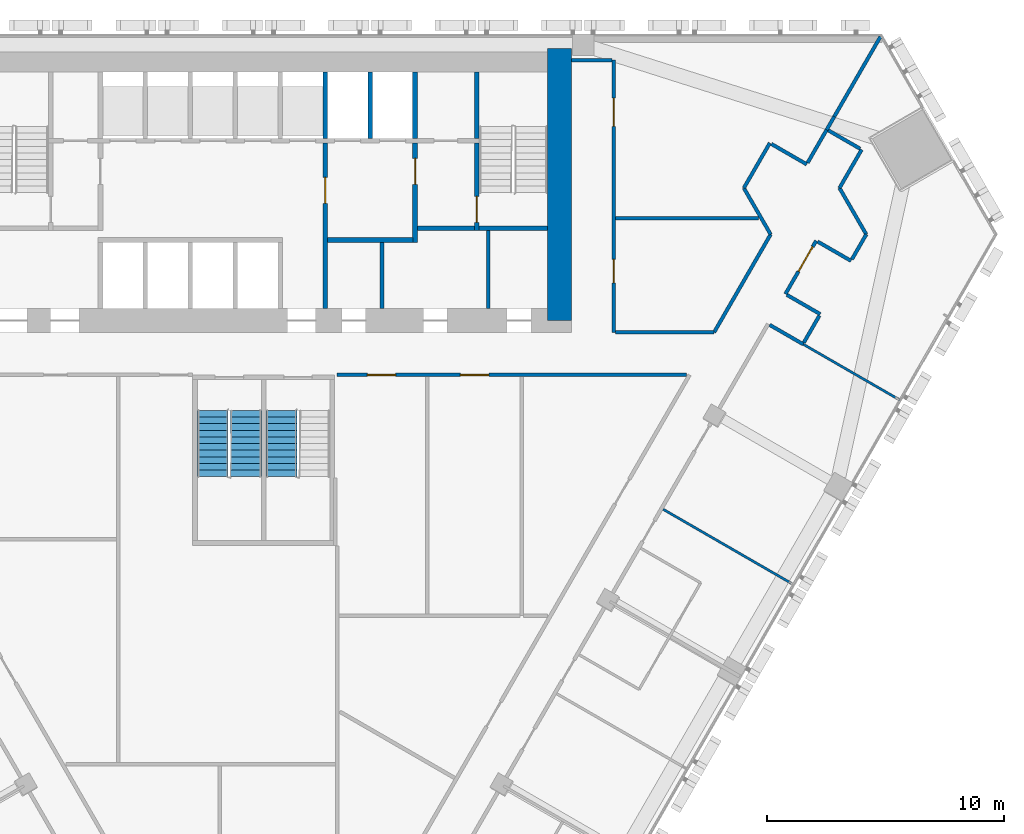
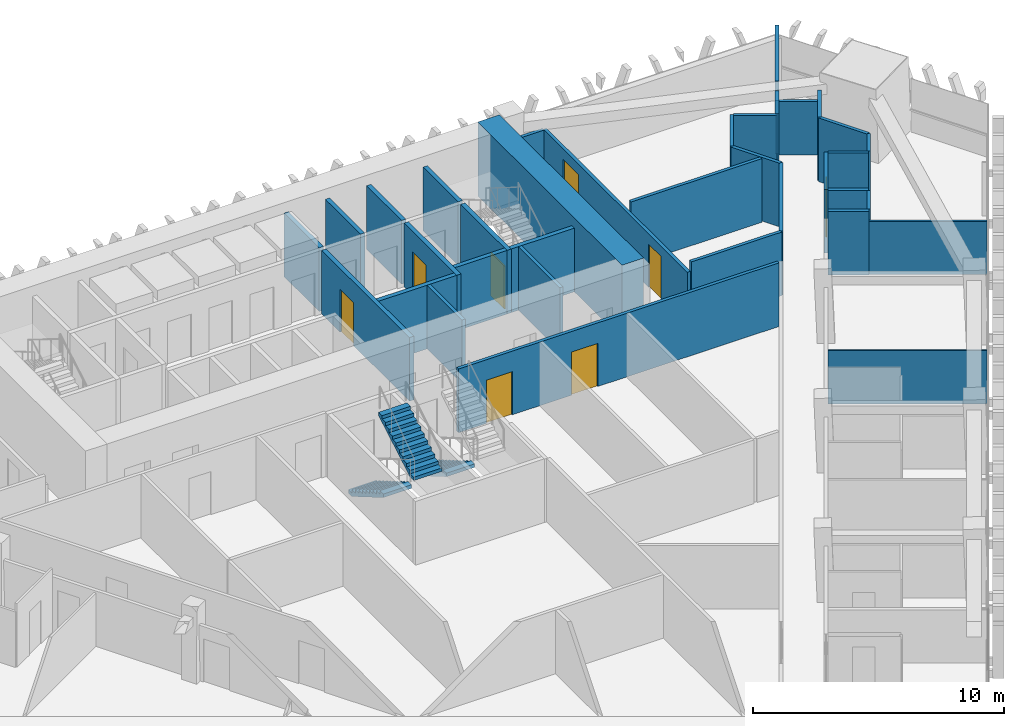
# One storey, part 14 of 18: 36 walls, 8 doors, 3 stair flights, 8 openings, 2 elements without a shape of their own.
"""IFC4 building model written with IfcOpenShell, lengths in metres."""

import ifcopenshell
import ifcopenshell.guid

model = None  # the IFC model being written
_history = None  # IfcOwnerHistory: only IFC2X3 demands one
_inside = {}  # id of a spatial element -> (the spatial element, [elements in it])
_under = {}  # id of a project, library or spatial element -> (it, [spatial elements below it])
_declared = {}  # id of a project -> (the project, [libraries it declares])
_typed = {}  # id of a type object -> (the type object, [elements of that type])
_made_of = {}  # id of a material, layer set ... -> (it, [elements and type objects made of it])


def new_model(schema):
    """Start an empty IFC model of exactly this schema.

    Asked for "IFC4X3", IfcOpenShell would pick the latest addendum, in which some entities
    have other attributes; the version numbers below select the first issue.
    IFC2X3 requires an IfcOwnerHistory on every rooted entity: one is made here for all.
    """
    global model, _history
    if schema == "IFC4X3":
        model = ifcopenshell.file(schema_version=(4, 3, 0, 0))
    else:
        model = ifcopenshell.file(schema=schema)
    _inside.clear()
    _under.clear()
    _declared.clear()
    _typed.clear()
    _made_of.clear()
    _history = None
    if model.schema == "IFC2X3":
        org = make("IfcOrganization", Name="unknown")
        user = make(
            "IfcPersonAndOrganization",
            ThePerson=make("IfcPerson", FamilyName="unknown"),
            TheOrganization=org,
        )
        app = make(
            "IfcApplication",
            ApplicationDeveloper=org,
            Version="unknown",
            ApplicationFullName="unknown",
            ApplicationIdentifier="unknown",
        )
        _history = make(
            "IfcOwnerHistory",
            OwningUser=user,
            OwningApplication=app,
            ChangeAction="ADDED",
            CreationDate=0,
        )
    return model


def make(cls, **values):
    """One entity of the class cls with the attributes given. An attribute that is None is left unset."""
    return model.create_entity(
        cls, **{name: value for name, value in values.items() if value is not None}
    )


def rooted(cls, **values):
    """An entity with a GlobalId (a new one), such as an element, a storey or a relation."""
    return make(cls, GlobalId=ifcopenshell.guid.new(), OwnerHistory=_history, **values)


def si_unit(unit_type, name, prefix=None):
    """IfcSIUnit, for example si_unit("LENGTHUNIT", "METRE", prefix="MILLI")."""
    return make("IfcSIUnit", UnitType=unit_type, Prefix=prefix, Name=name)


def assignment(units):
    """IfcUnitAssignment: the units of a project."""
    return None if units is None else make("IfcUnitAssignment", Units=units)


def point(xyz):
    """IfcCartesianPoint."""
    return None if xyz is None else make("IfcCartesianPoint", Coordinates=xyz)


def direction(xyz):
    """IfcDirection."""
    return None if xyz is None else make("IfcDirection", DirectionRatios=xyz)


def frame(location, z_axis=None, x_axis=None):
    """IfcAxis2Placement3D, a coordinate frame: its origin and axes. An axis left out is left unset."""
    return make(
        "IfcAxis2Placement3D",
        Location=point(location),
        Axis=direction(z_axis),
        RefDirection=direction(x_axis),
    )


def frame_2d(location, x_axis=None):
    """IfcAxis2Placement2D, a coordinate frame in the plane: its origin and x axis."""
    return make(
        "IfcAxis2Placement2D", Location=point(location), RefDirection=direction(x_axis)
    )


def origin():
    """The frame at (0, 0, 0) with its axes left unset."""
    return frame((0.0, 0.0, 0.0))


def place(relative_to, where):
    """IfcLocalPlacement: puts the frame where relative to a parent placement (None: the world)."""
    return make(
        "IfcLocalPlacement", PlacementRelTo=relative_to, RelativePlacement=where
    )


def context(
    kind, dimensions, precision=None, world=None, true_north=None, identifier=None
):
    """IfcGeometricRepresentationContext, for example the 3D "Model" context."""
    return make(
        "IfcGeometricRepresentationContext",
        ContextIdentifier=identifier,
        ContextType=kind,
        CoordinateSpaceDimension=dimensions,
        Precision=precision,
        WorldCoordinateSystem=world,
        TrueNorth=true_north,
    )


def subcontext(parent, identifier, kind, view, scale=None):
    """IfcGeometricRepresentationSubContext, for example "Body" below "Model"."""
    return make(
        "IfcGeometricRepresentationSubContext",
        ContextIdentifier=identifier,
        ContextType=kind,
        ParentContext=parent,
        TargetScale=scale,
        TargetView=view,
    )


def project(units=None, contexts=None):
    """IfcProject with its units and contexts."""
    return rooted(
        "IfcProject",
        Name="project",
        RepresentationContexts=contexts,
        UnitsInContext=assignment(units),
    )


def spatial(cls, under=None, at=None, **own):
    """A site, building, storey or space (cls), placed at a placement, below another one or the project."""
    s = rooted(cls, ObjectPlacement=at, **own)
    if under is not None:
        _under.setdefault(under.id(), (under, []))[1].append(s)
    return s


def polyline(points):
    """IfcPolyline through the points."""
    return make("IfcPolyline", Points=[point(p) for p in points])


def profile(cls, at=None, kind="AREA", **sizes):
    """A parametric profile (cls). Its sizes go by their IFC names, for example OverallWidth=200.0."""
    return make(cls, ProfileType=kind, Position=at, **sizes)


def rectangle(**sizes):
    """IfcRectangleProfileDef."""
    return profile("IfcRectangleProfileDef", **sizes)


def outline(outer, holes=None, kind="AREA"):
    """IfcArbitraryClosedProfileDef: a profile drawn as a closed curve; with holes, ...WithVoids."""
    if holes is None:
        return make("IfcArbitraryClosedProfileDef", ProfileType=kind, OuterCurve=outer)
    return make(
        "IfcArbitraryProfileDefWithVoids",
        ProfileType=kind,
        OuterCurve=outer,
        InnerCurves=holes,
    )


def extrude(swept, where, along, depth):
    """IfcExtrudedAreaSolid: the profile swept, set in the frame where, extruded along a direction by depth."""
    return make(
        "IfcExtrudedAreaSolid",
        SweptArea=swept,
        Position=where,
        ExtrudedDirection=direction(along),
        Depth=depth,
    )


def shape(context_of_items, identifier, shape_type, items):
    """IfcShapeRepresentation: the items that make up one representation, for example the "Body"."""
    return make(
        "IfcShapeRepresentation",
        ContextOfItems=context_of_items,
        RepresentationIdentifier=identifier,
        RepresentationType=shape_type,
        Items=items,
    )


def material(Name=None, Category=None):
    """IfcMaterial."""
    return make("IfcMaterial", Name=Name, Category=Category)


def layer(
    of_material, thickness, ventilated=None, Name=None, Category=None, Priority=None
):
    """IfcMaterialLayer: one layer of a wall or slab, of a material (None: an air gap)."""
    return make(
        "IfcMaterialLayer",
        Material=of_material,
        LayerThickness=thickness,
        IsVentilated=ventilated,
        Name=Name,
        Category=Category,
        Priority=Priority,
    )


def layer_set(layers, Name=None):
    """IfcMaterialLayerSet."""
    return make("IfcMaterialLayerSet", MaterialLayers=layers, LayerSetName=Name)


def made_of(thing, what):
    """Note that an element or type object is made of a material, layer set ...; save() writes the relation."""
    if what is not None:
        _made_of.setdefault(what.id(), (what, []))[1].append(thing)
    return thing


def type_object(cls, material=None, **own):
    """A type object (cls), such as IfcWallType, which elements share."""
    return made_of(rooted(cls, **own), material)


def element(
    cls,
    number,
    at=None,
    inside=None,
    cuts=None,
    type_object=None,
    material=None,
    context=None,
    identifier="Body",
    shape_type=None,
    held_by="IfcProductDefinitionShape",
    body=None,
    shapes=None,
    **own,
):
    """One element of the class cls, such as IfcWall. Its Tag is "e" and its number.

    at: its placement. inside: the storey or other place that contains it. cuts: it is an
    opening in that element (IfcRelVoidsElement). A single representation is given by context,
    identifier, shape_type and body (its items); several are given by shapes. held_by: the class
    of the entity that holds the representations. save() writes the other relations.
    """
    e = rooted(cls, Tag="e%d" % number, ObjectPlacement=at, **own)
    if body is not None:
        shapes = [shape(context, identifier, shape_type, body)]
    if shapes is not None:
        e.Representation = make(held_by, Representations=shapes)
    if inside is not None:
        _inside.setdefault(inside.id(), (inside, []))[1].append(e)
    if cuts is not None:
        rooted(
            "IfcRelVoidsElement", RelatingBuildingElement=cuts, RelatedOpeningElement=e
        )
    if type_object is not None:
        _typed.setdefault(type_object.id(), (type_object, []))[1].append(e)
    return made_of(e, material)


def fill(opening, filler):
    """IfcRelFillsElement: the door or window that sits in an opening."""
    return rooted(
        "IfcRelFillsElement",
        RelatingOpeningElement=opening,
        RelatedBuildingElement=filler,
    )


def aggregate(whole, parts):
    """IfcRelAggregates: a whole, such as a stair, and the parts it consists of."""
    return rooted("IfcRelAggregates", RelatingObject=whole, RelatedObjects=parts)


def save(model, path):
    """Write the relations noted so far, then the file.

    IfcRelAggregates (storeys below a building ...), IfcRelContainedInSpatialStructure (elements
    in a storey), IfcRelDefinesByType, IfcRelAssociatesMaterial and IfcRelDeclares: one each for
    every whole, place, type object, material and project.
    """
    for whole, parts in _under.values():
        aggregate(whole, parts)
    for where, things in _inside.values():
        rooted(
            "IfcRelContainedInSpatialStructure",
            RelatedElements=things,
            RelatingStructure=where,
        )
    for kind, things in _typed.values():
        rooted("IfcRelDefinesByType", RelatedObjects=things, RelatingType=kind)
    for what, things in _made_of.values():
        rooted("IfcRelAssociatesMaterial", RelatedObjects=things, RelatingMaterial=what)
    for by, libraries in _declared.values():
        rooted("IfcRelDeclares", RelatingContext=by, RelatedDefinitions=libraries)
    model.write(path)


model = new_model("IFC4")

# Units and contexts
model_context = context("Model", 3, precision=1e-05, world=origin(), true_north=direction((0.0, 1.0)))
body_context = subcontext(model_context, "Body", "Model", "MODEL_VIEW")
ifc_project = project(units=[si_unit("LENGTHUNIT", "METRE"), si_unit("AREAUNIT", "SQUARE_METRE"), si_unit("VOLUMEUNIT", "CUBIC_METRE"), si_unit("PLANEANGLEUNIT", "RADIAN"), si_unit("MASSUNIT", "GRAM", prefix="KILO")], contexts=[model_context])

# Site, building, storey
site_placement = place(None, origin())
site = spatial("IfcSite", under=ifc_project, at=site_placement, CompositionType="ELEMENT")
building_placement = place(site_placement, origin())
building = spatial("IfcBuilding", under=site, at=building_placement, Name="Altiplano Prism Tower", CompositionType="ELEMENT")
storey_placement = place(building_placement, frame((0.0, 0.0, 37.800048828125)))
storey = spatial("IfcBuildingStorey", under=building, at=storey_placement, Name="L08", CompositionType="ELEMENT", Elevation=37.800048828125)

# Walls
ifc_material_1 = material(Name="Concrete C70/85", Category="concrete")
ifc_layer_1 = layer(ifc_material_1, 1.0)
ifc_layer_set_1 = layer_set([ifc_layer_1], Name="Concrete C70/85")
wall_type_1 = type_object("IfcWallType", Name="Core wall 1000", PredefinedType="SHEAR", material=ifc_layer_set_1)
wall_1_placement = place(storey_placement, frame((97.5, 92.89990234375, 0.0), z_axis=(0.0, 0.0, 1.0), x_axis=(0.0, 1.0, 0.0)))
element("IfcWall", 1, at=wall_1_placement, inside=storey, type_object=wall_type_1, Name="Core wall E L08", PredefinedType="SHEAR", context=body_context, shape_type="SweptSolid", body=[
    extrude(rectangle(XDim=11.5, YDim=1.0, at=frame_2d((5.75, 0.0))), origin(), (0.0, 0.0, 1.0), 3.599853515625),
])
ifc_material_2 = material(Name="Plasterboard on steel stud", Category="steel")
ifc_layer_2 = layer(ifc_material_2, 0.10009765625)
ifc_layer_set_2 = layer_set([ifc_layer_2], Name="Plasterboard on steel stud")
wall_type_2 = type_object("IfcWallType", Name="Partition 100 wet", PredefinedType="PARTITIONING", material=ifc_layer_set_2)
wall_2_placement = place(storey_placement, frame((107.37744140625, 81.749755859375, 0.0), z_axis=(0.0, 0.0, 1.0), x_axis=(-0.866025401434, 0.500000004071, 0.0)))
element("IfcWall", 2, at=wall_2_placement, inside=storey, type_object=wall_type_2, Name="Partition P03 L08 098", PredefinedType="PARTITIONING", context=body_context, shape_type="SweptSolid", body=[
    extrude(rectangle(XDim=6.34521484375, YDim=0.10009765625, at=frame_2d((3.172607421875, 0.0))), origin(), (0.0, 0.0, 1.0), 2.599853515625),
])
wall_3_placement = place(storey_placement, frame((111.87744140625, 89.5439453125, 0.0), z_axis=(0.0, 0.0, 1.0), x_axis=(-0.866028828302, 0.499994068514, 0.0)))
element("IfcWall", 3, at=wall_3_placement, inside=storey, type_object=wall_type_2, Name="Partition P03 L08 099", PredefinedType="PARTITIONING", context=body_context, shape_type="SweptSolid", body=[
    extrude(rectangle(XDim=4.72021484375, YDim=0.10009765625, at=frame_2d((2.360107421875, 0.0))), origin(), (0.0, 0.0, 1.0), 2.599853515625),
])
ifc_layer_3 = layer(ifc_material_2, 0.14990234375)
ifc_layer_set_3 = layer_set([ifc_layer_3], Name="Plasterboard on steel stud")
wall_type_3 = type_object("IfcWallType", Name="Partition 150 corridor", PredefinedType="PARTITIONING", material=ifc_layer_set_3)
wall_4_placement = place(storey_placement, frame((106.38232421875, 92.716552734375, 0.0), z_axis=(0.0, 0.0, 1.0), x_axis=(0.866015045157, -0.50001794124, 0.0)))
element("IfcWall", 4, at=wall_4_placement, inside=storey, type_object=wall_type_3, Name="Partition P06 L08 022", PredefinedType="PARTITIONING", context=body_context, shape_type="SweptSolid", body=[
    extrude(rectangle(XDim=1.64501953125, YDim=0.14990234375, at=frame_2d((0.822509765625, 0.0))), origin(), (0.0, 0.0, 1.0), 3.099853515625),
])
wall_5_placement = place(storey_placement, frame((107.8271484375, 91.968994140625, 0.0), z_axis=(0.0, 0.0, 1.0), x_axis=(0.500001653409, 0.866024449186, 0.0)))
element("IfcWall", 5, at=wall_5_placement, inside=storey, type_object=wall_type_3, Name="Partition P06 L08 023", PredefinedType="PARTITIONING", context=body_context, shape_type="SweptSolid", body=[
    extrude(rectangle(XDim=1.31201171875, YDim=0.14990234375, at=frame_2d((0.656005859375, 0.0))), origin(), (0.0, 0.0, 1.0), 3.099853515625),
])
wall_6_placement = place(storey_placement, frame((108.520751953125, 93.170166015625, 0.0), z_axis=(0.0, 0.0, 1.0), x_axis=(-0.866053003207, 0.499952193351, 0.0)))
element("IfcWall", 6, at=wall_6_placement, inside=storey, type_object=wall_type_3, Name="Partition P06 L08 024", PredefinedType="PARTITIONING", context=body_context, shape_type="SweptSolid", body=[
    extrude(rectangle(XDim=1.625244140625, YDim=0.14990234375, at=frame_2d((0.8125, 0.0))), origin(), (0.0, 0.0, 1.0), 3.099853515625),
])

# Wall, opening, door
wall_7_placement = place(storey_placement, frame((107.04833984375, 94.020263671875, 0.0), z_axis=(0.0, 0.0, 1.0), x_axis=(0.500006934395, 0.866021400173, 0.0)))
wall_7 = element("IfcWall", 7, at=wall_7_placement, inside=storey, type_object=wall_type_3, Name="Partition P06 L08 025", PredefinedType="PARTITIONING", context=body_context, shape_type="SweptSolid", body=[
    extrude(rectangle(XDim=2.60009765625, YDim=0.14990234375, at=frame_2d((1.300048828125, 0.0))), origin(), (0.0, 0.0, 1.0), 3.099853515625),
])
opening_1_placement = place(wall_7_placement, frame((1.10693359375, 0.0, 0.0)))
opening_1 = element("IfcOpeningElement", 8, at=opening_1_placement, cuts=wall_7, Name="Opening D0308", PredefinedType="OPENING", context=body_context, shape_type="SweptSolid", body=[
    extrude(rectangle(XDim=1.199951171875, YDim=2.10009765625, at=frame_2d((0.60009765625, 1.050048828125))), frame((0.0, 0.08544921875, 0.0), z_axis=(0.0, -1.0, 0.0), x_axis=(1.0, 0.0, 0.0)), (0.0, 0.0, 1.0), 0.1708984375),
])
ifc_material_3 = material(Name="Timber", Category="wood")
door_type_1 = type_object("IfcDoorType", Name="Shared room door 1200 x 2100", OperationType="NOTDEFINED", PredefinedType="NOTDEFINED", material=ifc_material_3)
door_1_placement = place(opening_1_placement, origin())
door_1 = element("IfcDoor", 9, at=door_1_placement, inside=storey, type_object=door_type_1, Name="Door D0308", OperationType="SINGLE_SWING_RIGHT", OverallHeight=2.10009765625, OverallWidth=1.199951171875, PredefinedType="NOTDEFINED", context=body_context, shape_type="SweptSolid", body=[
    extrude(rectangle(XDim=1.199951171875, YDim=2.10009765625, at=frame_2d((0.60009765625, 1.050048828125))), frame((0.0, 0.02490234375, 0.0), z_axis=(0.0, -1.0, 0.0), x_axis=(1.0, 0.0, 0.0)), (0.0, 0.0, 1.0), 0.050048828125),
])
fill(opening_1, door_1)

# Walls
wall_8_placement = place(storey_placement, frame((108.413330078125, 96.234375, 0.0), z_axis=(0.0, 0.0, 1.0), x_axis=(0.866015446554, -0.500017246033, 0.0)))
element("IfcWall", 10, at=wall_8_placement, inside=storey, type_object=wall_type_3, Name="Partition P06 L08 026", PredefinedType="PARTITIONING", context=body_context, shape_type="SweptSolid", body=[
    extrude(rectangle(XDim=1.625, YDim=0.14990234375, at=frame_2d((0.8125, 0.0))), origin(), (0.0, 0.0, 1.0), 3.099853515625),
])
wall_9_placement = place(storey_placement, frame((109.858154296875, 95.48681640625, 0.0), z_axis=(0.0, 0.0, 1.0), x_axis=(0.499983176524, 0.866035116605, 0.0)))
element("IfcWall", 11, at=wall_9_placement, inside=storey, type_object=wall_type_3, Name="Partition P06 L08 027", PredefinedType="PARTITIONING", context=body_context, shape_type="SweptSolid", body=[
    extrude(rectangle(XDim=1.2158203125, YDim=0.14990234375, at=frame_2d((0.60791015625, 0.0))), origin(), (0.0, 0.0, 1.0), 3.099853515625),
])
wall_10_placement = place(storey_placement, frame((110.466064453125, 96.539794921875, 0.0), z_axis=(0.0, 0.0, 1.0), x_axis=(-0.500036781429, 0.866004166975, 0.0)))
element("IfcWall", 12, at=wall_10_placement, inside=storey, type_object=wall_type_3, Name="Partition P06 L08 028", PredefinedType="PARTITIONING", context=body_context, shape_type="SweptSolid", body=[
    extrude(rectangle(XDim=2.263427734375, YDim=0.14990234375, at=frame_2d((1.1318359375, 0.0))), origin(), (0.0, 0.0, 1.0), 3.099853515625),
])
wall_11_placement = place(storey_placement, frame((109.334228515625, 98.5, 0.0), z_axis=(0.0, 0.0, 1.0), x_axis=(0.499951854219, 0.86605319898, 0.0)))
element("IfcWall", 13, at=wall_11_placement, inside=storey, type_object=wall_type_3, Name="Partition P06 L08 029", PredefinedType="PARTITIONING", context=body_context, shape_type="SweptSolid", body=[
    extrude(rectangle(XDim=1.873291015625, YDim=0.14990234375, at=frame_2d((0.9365234375, 0.0))), origin(), (0.0, 0.0, 1.0), 3.099853515625),
])
wall_12_placement = place(storey_placement, frame((110.205810546875, 100.15966796875, 0.0), z_axis=(0.0, 0.0, 1.0), x_axis=(-0.865975732936, 0.500086022567, 0.0)))
element("IfcWall", 14, at=wall_12_placement, inside=storey, type_object=wall_type_3, Name="Partition P06 L08 030", PredefinedType="PARTITIONING", context=body_context, shape_type="SweptSolid", body=[
    extrude(rectangle(XDim=1.550048828125, YDim=0.14990234375, at=frame_2d((0.77490234375, 0.0))), origin(), (0.0, 0.0, 1.0), 2.599853515625),
])

# Wall, openings, doors
wall_13_placement = place(storey_placement, frame((99.800048828125, 92.39990234375, 0.0), z_axis=(0.0, 0.0, 1.0), x_axis=(0.0, 1.0, 0.0)))
wall_13 = element("IfcWall", 15, at=wall_13_placement, inside=storey, type_object=wall_type_3, Name="Partition P06 L08 031", PredefinedType="PARTITIONING", context=body_context, shape_type="SweptSolid", body=[
    extrude(rectangle(XDim=11.5, YDim=0.14990234375, at=frame_2d((5.75, 0.0))), origin(), (0.0, 0.0, 1.0), 2.599853515625),
])
opening_2_placement = place(wall_13_placement, frame((8.701904296875, 0.0, 0.0)))
opening_2 = element("IfcOpeningElement", 16, at=opening_2_placement, cuts=wall_13, Name="Opening D0310", PredefinedType="OPENING", context=body_context, shape_type="SweptSolid", body=[
    extrude(rectangle(XDim=1.199951171875, YDim=2.10009765625, at=frame_2d((0.60009765625, 1.050048828125))), frame((0.0, 0.08544921875, 0.0), z_axis=(0.0, -1.0, 0.0), x_axis=(1.0, 0.0, 0.0)), (0.0, 0.0, 1.0), 0.1708984375),
])
opening_3_placement = place(wall_13_placement, frame((2.0869140625, 0.0, 0.0)))
opening_3 = element("IfcOpeningElement", 17, at=opening_3_placement, cuts=wall_13, Name="Opening D0321", PredefinedType="OPENING", context=body_context, shape_type="SweptSolid", body=[
    extrude(rectangle(XDim=1.0, YDim=2.10009765625, at=frame_2d((0.5, 1.050048828125))), frame((0.0, 0.08544921875, 0.0), z_axis=(0.0, -1.0, 0.0), x_axis=(1.0, 0.0, 0.0)), (0.0, 0.0, 1.0), 0.1708984375),
])
door_2_placement = place(opening_2_placement, origin())
door_2 = element("IfcDoor", 18, at=door_2_placement, inside=storey, type_object=door_type_1, Name="Door D0310", OperationType="SINGLE_SWING_LEFT", OverallHeight=2.10009765625, OverallWidth=1.199951171875, PredefinedType="NOTDEFINED", context=body_context, shape_type="SweptSolid", body=[
    extrude(rectangle(XDim=1.199951171875, YDim=2.10009765625, at=frame_2d((0.60009765625, 1.050048828125))), frame((0.0, 0.02490234375, 0.0), z_axis=(0.0, -1.0, 0.0), x_axis=(1.0, 0.0, 0.0)), (0.0, 0.0, 1.0), 0.050048828125),
])
fill(opening_2, door_2)
door_type_2 = type_object("IfcDoorType", Name="Store door 1000 x 2100", OperationType="NOTDEFINED", PredefinedType="NOTDEFINED", material=ifc_material_3)
door_3_placement = place(opening_3_placement, origin())
door_3 = element("IfcDoor", 19, at=door_3_placement, inside=storey, type_object=door_type_2, Name="Door D0321", OperationType="SINGLE_SWING_RIGHT", OverallHeight=2.10009765625, OverallWidth=1.0, PredefinedType="NOTDEFINED", context=body_context, shape_type="SweptSolid", body=[
    extrude(rectangle(XDim=1.0, YDim=2.10009765625, at=frame_2d((0.5, 1.050048828125))), frame((0.0, 0.02490234375, 0.0), z_axis=(0.0, -1.0, 0.0), x_axis=(1.0, 0.0, 0.0)), (0.0, 0.0, 1.0), 0.050048828125),
])
fill(opening_3, door_3)

# Walls
wall_14_placement = place(storey_placement, frame((99.72509765625, 103.89990234375, 0.0), z_axis=(0.0, 0.0, 1.0), x_axis=(-1.0, 0.0, 0.0)))
element("IfcWall", 20, at=wall_14_placement, inside=storey, type_object=wall_type_3, Name="Partition P06 L08 032", PredefinedType="PARTITIONING", context=body_context, shape_type="SweptSolid", body=[
    extrude(rectangle(XDim=1.72509765625, YDim=0.14990234375, at=frame_2d((0.862548828125, 0.0))), origin(), (0.0, 0.0, 1.0), 2.599853515625),
])
wall_15_placement = place(storey_placement, frame((108.78857421875, 100.954833984375, 0.0), z_axis=(0.0, 0.0, 1.0), x_axis=(-0.500016533484, -0.866015857963, 0.0)))
element("IfcWall", 21, at=wall_15_placement, inside=storey, type_object=wall_type_3, Name="Partition P06 L08 033", PredefinedType="PARTITIONING", context=body_context, shape_type="SweptSolid", body=[
    extrude(rectangle(XDim=1.60498046875, YDim=0.14990234375, at=frame_2d((0.802490234375, 0.0))), origin(), (0.0, 0.0, 1.0), 3.099853515625),
])
wall_16_placement = place(storey_placement, frame((107.94873046875, 99.5, 0.0), z_axis=(0.0, 0.0, 1.0), x_axis=(-0.866013532718, 0.500020560727, 0.0)))
element("IfcWall", 22, at=wall_16_placement, inside=storey, type_object=wall_type_3, Name="Partition P06 L08 034", PredefinedType="PARTITIONING", context=body_context, shape_type="SweptSolid", body=[
    extrude(rectangle(XDim=1.72509765625, YDim=0.14990234375, at=frame_2d((0.862548828125, 0.0))), origin(), (0.0, 0.0, 1.0), 3.099853515625),
])
wall_17_placement = place(storey_placement, frame((106.3896484375, 100.39990234375, 0.0), z_axis=(0.0, 0.0, 1.0), x_axis=(-0.500005024956, -0.866022502605, 0.0)))
element("IfcWall", 23, at=wall_17_placement, inside=storey, type_object=wall_type_3, Name="Partition P06 L08 035", PredefinedType="PARTITIONING", context=body_context, shape_type="SweptSolid", body=[
    extrude(rectangle(XDim=2.19384765625, YDim=0.14990234375, at=frame_2d((1.096923828125, 0.0))), origin(), (0.0, 0.0, 1.0), 3.099853515625),
])
wall_18_placement = place(storey_placement, frame((105.292724609375, 98.5, 0.0), z_axis=(0.0, 0.0, 1.0), x_axis=(0.500036781429, -0.866004166975, 0.0)))
element("IfcWall", 24, at=wall_18_placement, inside=storey, type_object=wall_type_3, Name="Partition P06 L08 036", PredefinedType="PARTITIONING", context=body_context, shape_type="SweptSolid", body=[
    extrude(rectangle(XDim=2.263427734375, YDim=0.14990234375, at=frame_2d((1.1318359375, 0.0))), origin(), (0.0, 0.0, 1.0), 3.099853515625),
])

# Wall, openings, doors
wall_19_placement = place(storey_placement, frame((88.1064453125, 90.60009765625, 0.0), z_axis=(0.0, 0.0, 1.0), x_axis=(1.0, 0.0, 0.0)))
wall_19 = element("IfcWall", 25, at=wall_19_placement, inside=storey, type_object=wall_type_3, Name="Partition P06 L08 037", PredefinedType="PARTITIONING", context=body_context, shape_type="SweptSolid", body=[
    extrude(rectangle(XDim=14.759033203125, YDim=0.14990234375, at=frame_2d((7.37939453125, 0.0))), origin(), (0.0, 0.0, 1.0), 3.099853515625),
])
opening_4_placement = place(wall_19_placement, frame((5.208984375, 0.0, 0.0)))
opening_4 = element("IfcOpeningElement", 26, at=opening_4_placement, cuts=wall_19, Name="Opening D0315", PredefinedType="OPENING", context=body_context, shape_type="SweptSolid", body=[
    extrude(rectangle(XDim=1.199951171875, YDim=2.10009765625, at=frame_2d((0.60009765625, 1.050048828125))), frame((0.0, 0.08544921875, 0.0), z_axis=(0.0, -1.0, 0.0), x_axis=(1.0, 0.0, 0.0)), (0.0, 0.0, 1.0), 0.1708984375),
])
opening_5_placement = place(wall_19_placement, frame((1.27392578125, 0.0, 0.0)))
opening_5 = element("IfcOpeningElement", 27, at=opening_5_placement, cuts=wall_19, Name="Opening D0316", PredefinedType="OPENING", context=body_context, shape_type="SweptSolid", body=[
    extrude(rectangle(XDim=1.199951171875, YDim=2.10009765625, at=frame_2d((0.60009765625, 1.050048828125))), frame((0.0, 0.08544921875, 0.0), z_axis=(0.0, -1.0, 0.0), x_axis=(1.0, 0.0, 0.0)), (0.0, 0.0, 1.0), 0.1708984375),
])
door_4_placement = place(opening_4_placement, origin())
door_4 = element("IfcDoor", 28, at=door_4_placement, inside=storey, type_object=door_type_1, Name="Door D0315", OperationType="SINGLE_SWING_LEFT", OverallHeight=2.10009765625, OverallWidth=1.199951171875, PredefinedType="NOTDEFINED", context=body_context, shape_type="SweptSolid", body=[
    extrude(rectangle(XDim=1.199951171875, YDim=2.10009765625, at=frame_2d((0.60009765625, 1.050048828125))), frame((0.0, 0.02490234375, 0.0), z_axis=(0.0, -1.0, 0.0), x_axis=(1.0, 0.0, 0.0)), (0.0, 0.0, 1.0), 0.050048828125),
])
fill(opening_4, door_4)
door_5_placement = place(opening_5_placement, origin())
door_5 = element("IfcDoor", 29, at=door_5_placement, inside=storey, type_object=door_type_1, Name="Door D0316", OperationType="SINGLE_SWING_RIGHT", OverallHeight=2.10009765625, OverallWidth=1.199951171875, PredefinedType="NOTDEFINED", context=body_context, shape_type="SweptSolid", body=[
    extrude(rectangle(XDim=1.199951171875, YDim=2.10009765625, at=frame_2d((0.60009765625, 1.050048828125))), frame((0.0, 0.02490234375, 0.0), z_axis=(0.0, -1.0, 0.0), x_axis=(1.0, 0.0, 0.0)), (0.0, 0.0, 1.0), 0.050048828125),
])
fill(opening_5, door_5)

# Walls
wall_20_placement = place(storey_placement, frame((106.424560546875, 96.539794921875, 0.0), z_axis=(0.0, 0.0, 1.0), x_axis=(-0.499995077365, -0.86602824585, 0.0)))
element("IfcWall", 30, at=wall_20_placement, inside=storey, type_object=wall_type_3, Name="Partition P06 L08 041", PredefinedType="PARTITIONING", context=body_context, shape_type="SweptSolid", body=[
    extrude(rectangle(XDim=4.7802734375, YDim=0.14990234375, at=frame_2d((2.39013671875, 0.0))), origin(), (0.0, 0.0, 1.0), 3.099853515625),
])
wall_21_placement = place(storey_placement, frame((104.034423828125, 92.39990234375, 0.0), z_axis=(0.0, 0.0, 1.0), x_axis=(-1.0, 0.0, 0.0)))
element("IfcWall", 31, at=wall_21_placement, inside=storey, type_object=wall_type_3, Name="Partition P06 L08 042", PredefinedType="PARTITIONING", context=body_context, shape_type="SweptSolid", body=[
    extrude(rectangle(XDim=4.159423828125, YDim=0.14990234375, at=frame_2d((2.07958984375, 0.0))), origin(), (0.0, 0.0, 1.0), 3.099853515625),
])
ifc_layer_4 = layer(ifc_material_2, 0.14990234375)
ifc_layer_set_4 = layer_set([ifc_layer_4], Name="Plasterboard on steel stud")
wall_type_4 = type_object("IfcWallType", Name="Partition 150 party", PredefinedType="PARTITIONING", material=ifc_layer_set_4)
wall_22_placement = place(storey_placement, frame((111.06640625, 104.89990234375, 0.0), z_axis=(0.0, 0.0, 1.0), x_axis=(-0.500014353419, -0.866017116675, 0.0)))
element("IfcWall", 32, at=wall_22_placement, inside=storey, type_object=wall_type_4, Name="Partition P01 L08 100", PredefinedType="PARTITIONING", context=body_context, shape_type="SweptSolid", body=[
    extrude(rectangle(XDim=3.90966796875, YDim=0.14990234375, at=frame_2d((1.954833984375, 0.0))), origin(), (0.0, 0.0, 1.0), 3.099853515625),
])
wall_23_placement = place(storey_placement, frame((109.111572265625, 101.51416015625, 0.0), z_axis=(0.0, 0.0, 1.0), x_axis=(-0.500082362009, -0.865977846834, 0.0)))
element("IfcWall", 33, at=wall_23_placement, inside=storey, type_object=wall_type_4, Name="Partition P01 L08 101", PredefinedType="PARTITIONING", context=body_context, shape_type="SweptSolid", body=[
    extrude(rectangle(XDim=0.64599609375, YDim=0.14990234375, at=frame_2d((0.322998046875, 0.0))), origin(), (0.0, 0.0, 1.0), 2.599853515625),
])
wall_24_placement = place(storey_placement, frame((99.875, 97.216796875, 0.0), z_axis=(0.0, 0.0, 1.0), x_axis=(1.0, 0.0, 0.0)))
element("IfcWall", 34, at=wall_24_placement, inside=storey, type_object=wall_type_4, Name="Partition P01 L08 105", PredefinedType="PARTITIONING", context=body_context, shape_type="SweptSolid", body=[
    extrude(rectangle(XDim=6.02880859375, YDim=0.14990234375, at=frame_2d((3.014404296875, 0.0))), origin(), (0.0, 0.0, 1.0), 3.099853515625),
])
ifc_material_4 = material(Name="Fire-rated gypsum board partition")
ifc_layer_5 = layer(ifc_material_4, 0.14990234375)
ifc_layer_set_5 = layer_set([ifc_layer_5], Name="Fire-rated gypsum board partition")
wall_type_5 = type_object("IfcWallType", Name="Room partition 150", PredefinedType="PARTITIONING", material=ifc_layer_set_5)
wall_25_placement = place(storey_placement, frame((90.0, 93.39990234375, 0.0), z_axis=(0.0, 0.0, 1.0), x_axis=(0.0, 1.0, 0.0)))
element("IfcWall", 35, at=wall_25_placement, inside=storey, type_object=wall_type_5, Name="Room partition L08", PredefinedType="PARTITIONING", context=body_context, shape_type="SweptSolid", body=[
    extrude(rectangle(XDim=2.800048828125, YDim=0.14990234375, at=frame_2d((1.39990234375, 0.0))), origin(), (0.0, 0.0, 1.0), 3.099853515625),
])
wall_26_placement = place(storey_placement, frame((94.5, 93.39990234375, 0.0), z_axis=(0.0, 0.0, 1.0), x_axis=(0.0, 1.0, 0.0)))
element("IfcWall", 36, at=wall_26_placement, inside=storey, type_object=wall_type_5, Name="Room partition L08", PredefinedType="PARTITIONING", context=body_context, shape_type="SweptSolid", body=[
    extrude(rectangle(XDim=3.300048828125, YDim=0.14990234375, at=frame_2d((1.64990234375, 0.0))), origin(), (0.0, 0.0, 1.0), 3.099853515625),
])
ifc_material_5 = material(Name="Concrete C60/75", Category="concrete")
ifc_layer_6 = layer(ifc_material_5, 0.199951171875)
ifc_layer_set_6 = layer_set([ifc_layer_6], Name="Concrete C60/75")
wall_type_6 = type_object("IfcWallType", Name="Shaft wall 200", PredefinedType="SOLIDWALL", material=ifc_layer_set_6)
for number, where, z_axis, x_axis, name in (
    (37, (87.60009765625, 100.60009765625, 0.0), (0.0, 0.0, 1.0), (0.0, 1.0, 0.0), "Shaft wall L08"),
    (38, (89.5, 100.60009765625, 0.0), (0.0, 0.0, 1.0), (0.0, 1.0, 0.0), "Shaft wall L08"),
    (39, (91.39990234375, 100.60009765625, 0.0), (0.0, 0.0, 1.0), (0.0, 1.0, 0.0), "Shaft wall L08"),
):
    element("IfcWall", number, at=place(storey_placement, frame(where, z_axis=z_axis, x_axis=x_axis)), inside=storey, type_object=wall_type_6, Name=name, PredefinedType="SOLIDWALL", context=body_context, shape_type="SweptSolid", body=[
        extrude(rectangle(XDim=2.7998046875, YDim=0.199951171875, at=frame_2d((1.39990234375, 0.0))), origin(), (0.0, 0.0, 1.0), 3.099853515625),
    ])

# Wall, opening, door
ifc_layer_7 = layer(ifc_material_5, 0.199951171875)
ifc_layer_set_7 = layer_set([ifc_layer_7], Name="Concrete C60/75")
wall_type_7 = type_object("IfcWallType", Name="Stair wall 200", PredefinedType="SOLIDWALL", material=ifc_layer_set_7)
wall_27_placement = place(storey_placement, frame((94.0, 96.699951171875, 0.0), z_axis=(0.0, 0.0, 1.0), x_axis=(0.0, 1.0, 0.0)))
wall_27 = element("IfcWall", 40, at=wall_27_placement, inside=storey, type_object=wall_type_7, Name="Stair wall L08", PredefinedType="SOLIDWALL", context=body_context, shape_type="SweptSolid", body=[
    extrude(rectangle(XDim=3.699951171875, YDim=0.199951171875, at=frame_2d((1.85009765625, 0.0))), origin(), (0.0, 0.0, 1.0), 3.099853515625),
])
opening_6_placement = place(wall_27_placement, frame((0.35009765625, 0.0, 0.0)))
opening_6 = element("IfcOpeningElement", 41, at=opening_6_placement, cuts=wall_27, Name="Opening D2695", PredefinedType="OPENING", context=body_context, shape_type="SweptSolid", body=[
    extrude(rectangle(XDim=1.10009765625, YDim=2.10009765625, at=frame_2d((0.550048828125, 1.050048828125))), frame((0.0, 0.1103515625, 0.0), z_axis=(0.0, -1.0, 0.0), x_axis=(1.0, 0.0, 0.0)), (0.0, 0.0, 1.0), 0.220947265625),
])
ifc_material_6 = material(Name="Fire-rated steel door", Category="steel")
door_type_3 = type_object("IfcDoorType", Name="Stair fire door 1100 x 2100", OperationType="NOTDEFINED", PredefinedType="NOTDEFINED", material=ifc_material_6)
door_6_placement = place(opening_6_placement, origin())
door_6 = element("IfcDoor", 42, at=door_6_placement, inside=storey, type_object=door_type_3, Name="Stair fire door D2695", OperationType="SINGLE_SWING_LEFT", OverallHeight=2.10009765625, OverallWidth=1.10009765625, PredefinedType="NOTDEFINED", context=body_context, shape_type="SweptSolid", body=[
    extrude(rectangle(XDim=1.10009765625, YDim=2.10009765625, at=frame_2d((0.550048828125, 1.050048828125))), frame((0.0, 0.02490234375, 0.0), z_axis=(0.0, -1.0, 0.0), x_axis=(1.0, 0.0, 0.0)), (0.0, 0.0, 1.0), 0.050048828125),
])
fill(opening_6, door_6)

# Walls
wall_28_placement = place(storey_placement, frame((94.10009765625, 96.800048828125, 0.0), z_axis=(0.0, 0.0, 1.0), x_axis=(1.0, 0.0, 0.0)))
element("IfcWall", 43, at=wall_28_placement, inside=storey, type_object=wall_type_7, Name="Stair wall L08", PredefinedType="SOLIDWALL", context=body_context, shape_type="SweptSolid", body=[
    extrude(rectangle(XDim=2.89990234375, YDim=0.199951171875, at=frame_2d((1.449951171875, 0.0))), origin(), (0.0, 0.0, 1.0), 3.099853515625),
])
wall_29_placement = place(storey_placement, frame((94.0, 100.60009765625, 0.0), z_axis=(0.0, 0.0, 1.0), x_axis=(0.0, 1.0, 0.0)))
element("IfcWall", 44, at=wall_29_placement, inside=storey, type_object=wall_type_7, Name="Stair wall L08", PredefinedType="SOLIDWALL", context=body_context, shape_type="SweptSolid", body=[
    extrude(rectangle(XDim=2.7998046875, YDim=0.199951171875, at=frame_2d((1.39990234375, 0.0))), origin(), (0.0, 0.0, 1.0), 3.099853515625),
])

# Wall, opening, door
ifc_layer_8 = layer(ifc_material_5, 0.199951171875)
ifc_layer_set_8 = layer_set([ifc_layer_8], Name="Concrete C60/75")
wall_type_8 = type_object("IfcWallType", Name="Vestibule wall 200", PredefinedType="PARTITIONING", material=ifc_layer_set_8)
wall_30_placement = place(storey_placement, frame((87.60009765625, 93.39990234375, 0.0), z_axis=(0.0, 0.0, 1.0), x_axis=(0.0, 1.0, 0.0)))
wall_30 = element("IfcWall", 45, at=wall_30_placement, inside=storey, type_object=wall_type_8, Name="Vestibule wall L08", PredefinedType="PARTITIONING", context=body_context, shape_type="SweptSolid", body=[
    extrude(rectangle(XDim=7.0, YDim=0.199951171875, at=frame_2d((3.5, 0.0))), origin(), (0.0, 0.0, 1.0), 3.099853515625),
])
opening_7_placement = place(wall_30_placement, frame((4.449951171875, 0.0, 0.0)))
opening_7 = element("IfcOpeningElement", 46, at=opening_7_placement, cuts=wall_30, Name="Opening D2697", PredefinedType="OPENING", context=body_context, shape_type="SweptSolid", body=[
    extrude(rectangle(XDim=1.10009765625, YDim=2.10009765625, at=frame_2d((0.550048828125, 1.050048828125))), frame((0.0, 0.1103515625, 0.0), z_axis=(0.0, -1.0, 0.0), x_axis=(1.0, 0.0, 0.0)), (0.0, 0.0, 1.0), 0.220947265625),
])
door_type_4 = type_object("IfcDoorType", Name="Vestibule fire door 1100 x 2100", OperationType="NOTDEFINED", PredefinedType="NOTDEFINED", material=ifc_material_6)
door_7_placement = place(opening_7_placement, origin())
door_7 = element("IfcDoor", 47, at=door_7_placement, inside=storey, type_object=door_type_4, Name="Vestibule fire door D2697", OperationType="SINGLE_SWING_RIGHT", OverallHeight=2.10009765625, OverallWidth=1.10009765625, PredefinedType="NOTDEFINED", context=body_context, shape_type="SweptSolid", body=[
    extrude(rectangle(XDim=1.10009765625, YDim=2.10009765625, at=frame_2d((0.550048828125, 1.050048828125))), frame((0.0, 0.02490234375, 0.0), z_axis=(0.0, -1.0, 0.0), x_axis=(1.0, 0.0, 0.0)), (0.0, 0.0, 1.0), 0.050048828125),
])
fill(opening_7, door_7)

# Wall
wall_31_placement = place(storey_placement, frame((87.699951171875, 96.300048828125, 0.0), z_axis=(0.0, 0.0, 1.0), x_axis=(1.0, 0.0, 0.0)))
element("IfcWall", 48, at=wall_31_placement, inside=storey, type_object=wall_type_8, Name="Vestibule wall L08", PredefinedType="PARTITIONING", context=body_context, shape_type="SweptSolid", body=[
    extrude(rectangle(XDim=3.60009765625, YDim=0.199951171875, at=frame_2d((1.800048828125, 0.0))), origin(), (0.0, 0.0, 1.0), 3.099853515625),
])

# Wall, opening, door
wall_32_placement = place(storey_placement, frame((91.39990234375, 96.199951171875, 0.0), z_axis=(0.0, 0.0, 1.0), x_axis=(0.0, 1.0, 0.0)))
wall_32 = element("IfcWall", 49, at=wall_32_placement, inside=storey, type_object=wall_type_8, Name="Vestibule wall L08", PredefinedType="PARTITIONING", context=body_context, shape_type="SweptSolid", body=[
    extrude(rectangle(XDim=4.199951171875, YDim=0.199951171875, at=frame_2d((2.10009765625, 0.0))), origin(), (0.0, 0.0, 1.0), 3.099853515625),
])
opening_8_placement = place(wall_32_placement, frame((2.449951171875, 0.0, 0.0)))
opening_8 = element("IfcOpeningElement", 50, at=opening_8_placement, cuts=wall_32, Name="Opening D2698", PredefinedType="OPENING", context=body_context, shape_type="SweptSolid", body=[
    extrude(rectangle(XDim=1.10009765625, YDim=2.10009765625, at=frame_2d((0.550048828125, 1.050048828125))), frame((0.0, 0.1103515625, 0.0), z_axis=(0.0, -1.0, 0.0), x_axis=(1.0, 0.0, 0.0)), (0.0, 0.0, 1.0), 0.220947265625),
])
door_8_placement = place(opening_8_placement, origin())
door_8 = element("IfcDoor", 51, at=door_8_placement, inside=storey, type_object=door_type_4, Name="Vestibule fire door D2698", OperationType="SINGLE_SWING_LEFT", OverallHeight=2.10009765625, OverallWidth=1.10009765625, PredefinedType="NOTDEFINED", context=body_context, shape_type="SweptSolid", body=[
    extrude(rectangle(XDim=1.10009765625, YDim=2.10009765625, at=frame_2d((0.550048828125, 1.050048828125))), frame((0.0, 0.02490234375, 0.0), z_axis=(0.0, -1.0, 0.0), x_axis=(1.0, 0.0, 0.0)), (0.0, 0.0, 1.0), 0.050048828125),
])
fill(opening_8, door_8)

# Wall
wall_33_placement = place(storey_placement, frame((91.5, 96.800048828125, 0.0), z_axis=(0.0, 0.0, 1.0), x_axis=(1.0, 0.0, 0.0)))
element("IfcWall", 52, at=wall_33_placement, inside=storey, type_object=wall_type_8, Name="Vestibule wall L08", PredefinedType="PARTITIONING", context=body_context, shape_type="SweptSolid", body=[
    extrude(rectangle(XDim=2.39990234375, YDim=0.199951171875, at=frame_2d((1.199951171875, 0.0))), origin(), (0.0, 0.0, 1.0), 3.099853515625),
])

# Stair, stair flights
ifc_material_7 = material(Name="Concrete C40/50", Category="concrete")
stair_type = type_object("IfcStairType", Name="Exit stair 1300", PredefinedType="HALF_TURN_STAIR", material=ifc_material_7)
stair_1_placement = place(storey_placement, origin())
stair_1 = element("IfcStair", 53, at=stair_1_placement, inside=storey, type_object=stair_type, Name="L08 Exit Stair 3A", PredefinedType="HALF_TURN_STAIR")
stair_flight_type = type_object("IfcStairFlightType", Name="Stair flight concrete 150", PredefinedType="STRAIGHT", material=ifc_material_7)
stair_flight_1_placement = place(storey_placement, frame((82.85009765625, 89.10009765625, 0.0), z_axis=(0.0, 0.0, 1.0), x_axis=(0.0, -1.0, 0.0)))
stair_flight_1 = element("IfcStairFlight", 54, at=stair_flight_1_placement, type_object=stair_flight_type, Name="ST3A flight 1", NumberOfRisers=11, NumberOfTreads=10, PredefinedType="STRAIGHT", RiserHeight=0.163636364, TreadLength=0.28, context=body_context, shape_type="SweptSolid", body=[
    extrude(outline(polyline([(0.0, 0.0), (0.0, 0.16357421875), (0.280029296875, 0.16357421875), (0.280029296875, 0.327392578125), (0.56005859375, 0.327392578125), (0.56005859375, 0.490966796875), (0.840087890625, 0.490966796875), (0.840087890625, 0.654541015625), (1.1201171875, 0.654541015625), (1.1201171875, 0.818115234375), (1.39990234375, 0.818115234375), (1.39990234375, 0.98193359375), (1.679931640625, 0.98193359375), (1.679931640625, 1.1455078125), (1.9599609375, 1.1455078125), (1.9599609375, 1.30908203125), (2.239990234375, 1.30908203125), (2.239990234375, 1.47265625), (2.52001953125, 1.47265625), (2.52001953125, 1.636474609375), (2.800048828125, 1.636474609375), (2.800048828125, 1.800048828125), (2.800048828125, 1.462646484375), (0.297119140625, 0.0), (0.0, 0.0)])), frame((0.0, 0.64990234375, 0.0), z_axis=(0.0, -1.0, 0.0), x_axis=(1.0, 0.0, 0.0)), (0.0, 0.0, 1.0), 1.300048828125),
])
stair_flight_2_placement = place(storey_placement, frame((84.25, 86.300048828125, 1.800048828125), z_axis=(0.0, 0.0, 1.0), x_axis=(0.0, 1.0, 0.0)))
stair_flight_2 = element("IfcStairFlight", 55, at=stair_flight_2_placement, type_object=stair_flight_type, Name="ST3A flight 2", NumberOfRisers=11, NumberOfTreads=10, PredefinedType="STRAIGHT", RiserHeight=0.163636364, TreadLength=0.28, context=body_context, shape_type="SweptSolid", body=[
    extrude(outline(polyline([(0.0, 0.0), (0.0, 0.16357421875), (0.280029296875, 0.16357421875), (0.280029296875, 0.327392578125), (0.56005859375, 0.327392578125), (0.56005859375, 0.490966796875), (0.840087890625, 0.490966796875), (0.840087890625, 0.654541015625), (1.1201171875, 0.654541015625), (1.1201171875, 0.818115234375), (1.39990234375, 0.818115234375), (1.39990234375, 0.98193359375), (1.679931640625, 0.98193359375), (1.679931640625, 1.1455078125), (1.9599609375, 1.1455078125), (1.9599609375, 1.30908203125), (2.239990234375, 1.30908203125), (2.239990234375, 1.47265625), (2.52001953125, 1.47265625), (2.52001953125, 1.636474609375), (2.800048828125, 1.636474609375), (2.800048828125, 1.800048828125), (2.800048828125, 1.462646484375), (0.297119140625, 0.0), (0.0, 0.0)])), frame((0.0, 0.64990234375, 0.0), z_axis=(0.0, -1.0, 0.0), x_axis=(1.0, 0.0, 0.0)), (0.0, 0.0, 1.0), 1.300048828125),
])
aggregate(stair_1, [stair_flight_1, stair_flight_2])

# Stair, stair flight
stair_2_placement = place(storey_placement, origin())
stair_2 = element("IfcStair", 56, at=stair_2_placement, inside=storey, type_object=stair_type, Name="L08 Exit Stair 3B", PredefinedType="HALF_TURN_STAIR")
stair_flight_3_placement = place(storey_placement, frame((85.75, 89.10009765625, 0.0), z_axis=(0.0, 0.0, 1.0), x_axis=(0.0, -1.0, 0.0)))
stair_flight_3 = element("IfcStairFlight", 57, at=stair_flight_3_placement, type_object=stair_flight_type, Name="ST3B flight 1", NumberOfRisers=11, NumberOfTreads=10, PredefinedType="STRAIGHT", RiserHeight=0.163636364, TreadLength=0.28, context=body_context, shape_type="SweptSolid", body=[
    extrude(outline(polyline([(0.0, 0.0), (0.0, 0.16357421875), (0.280029296875, 0.16357421875), (0.280029296875, 0.327392578125), (0.56005859375, 0.327392578125), (0.56005859375, 0.490966796875), (0.840087890625, 0.490966796875), (0.840087890625, 0.654541015625), (1.1201171875, 0.654541015625), (1.1201171875, 0.818115234375), (1.39990234375, 0.818115234375), (1.39990234375, 0.98193359375), (1.679931640625, 0.98193359375), (1.679931640625, 1.1455078125), (1.9599609375, 1.1455078125), (1.9599609375, 1.30908203125), (2.239990234375, 1.30908203125), (2.239990234375, 1.47265625), (2.52001953125, 1.47265625), (2.52001953125, 1.636474609375), (2.800048828125, 1.636474609375), (2.800048828125, 1.800048828125), (2.800048828125, 1.462646484375), (0.297119140625, 0.0), (0.0, 0.0)])), frame((0.0, 0.64990234375, 0.0), z_axis=(0.0, -1.0, 0.0), x_axis=(1.0, 0.0, 0.0)), (0.0, 0.0, 1.0), 1.300048828125),
])
aggregate(stair_2, [stair_flight_3])

save(model, "model.ifc")
